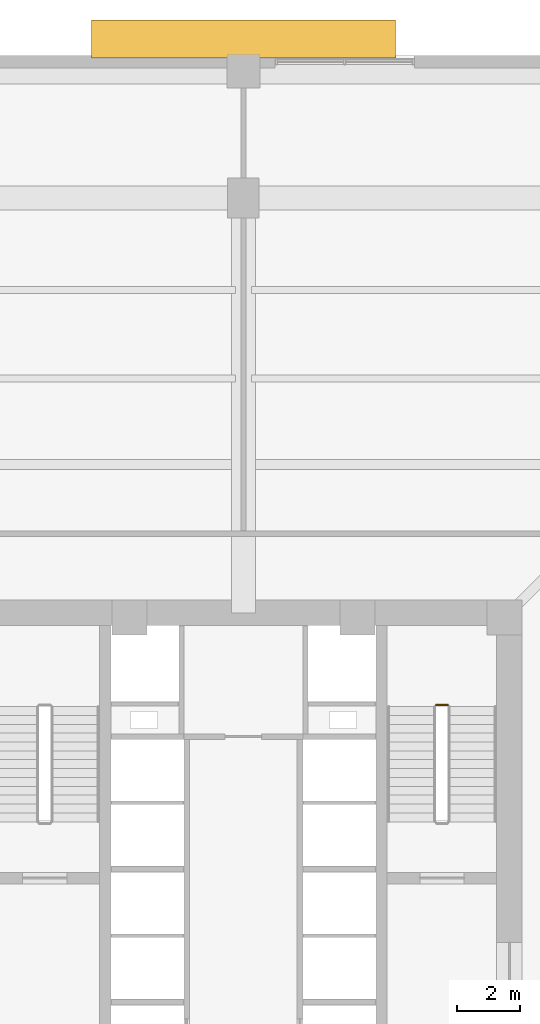
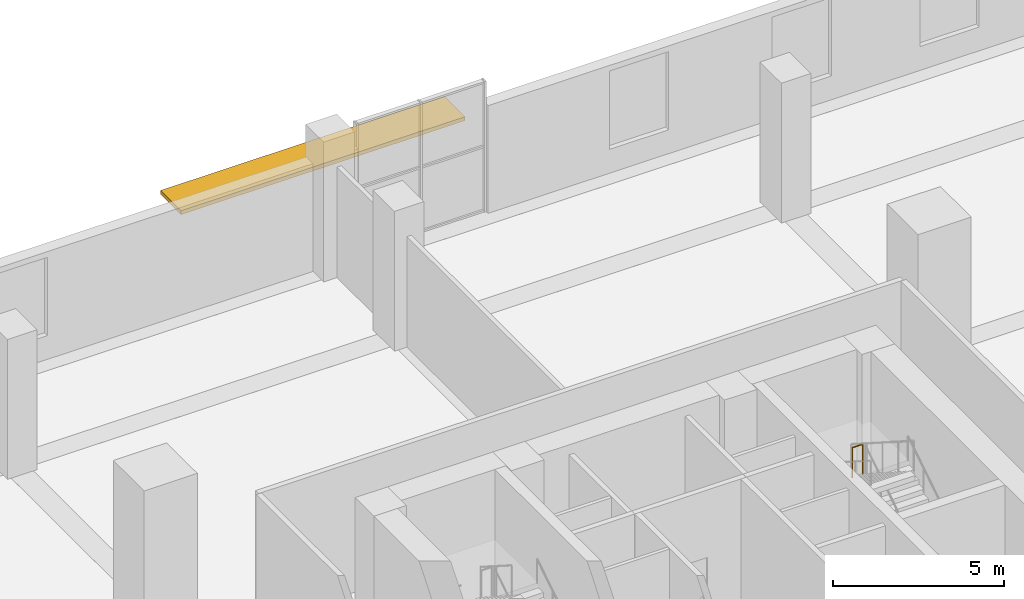
# One storey, part 16 of 17: 1 railing, 1 shading device.
"""IFC4 building model written with IfcOpenShell, lengths in metres."""

import ifcopenshell
import ifcopenshell.guid

model = None  # the IFC model being written
_history = None  # IfcOwnerHistory: only IFC2X3 demands one
_inside = {}  # id of a spatial element -> (the spatial element, [elements in it])
_under = {}  # id of a project, library or spatial element -> (it, [spatial elements below it])
_declared = {}  # id of a project -> (the project, [libraries it declares])
_typed = {}  # id of a type object -> (the type object, [elements of that type])
_made_of = {}  # id of a material, layer set ... -> (it, [elements and type objects made of it])


def new_model(schema):
    """Start an empty IFC model of exactly this schema.

    Asked for "IFC4X3", IfcOpenShell would pick the latest addendum, in which some entities
    have other attributes; the version numbers below select the first issue.
    IFC2X3 requires an IfcOwnerHistory on every rooted entity: one is made here for all.
    """
    global model, _history
    if schema == "IFC4X3":
        model = ifcopenshell.file(schema_version=(4, 3, 0, 0))
    else:
        model = ifcopenshell.file(schema=schema)
    _inside.clear()
    _under.clear()
    _declared.clear()
    _typed.clear()
    _made_of.clear()
    _history = None
    if model.schema == "IFC2X3":
        org = make("IfcOrganization", Name="unknown")
        user = make(
            "IfcPersonAndOrganization",
            ThePerson=make("IfcPerson", FamilyName="unknown"),
            TheOrganization=org,
        )
        app = make(
            "IfcApplication",
            ApplicationDeveloper=org,
            Version="unknown",
            ApplicationFullName="unknown",
            ApplicationIdentifier="unknown",
        )
        _history = make(
            "IfcOwnerHistory",
            OwningUser=user,
            OwningApplication=app,
            ChangeAction="ADDED",
            CreationDate=0,
        )
    return model


def make(cls, **values):
    """One entity of the class cls with the attributes given. An attribute that is None is left unset."""
    return model.create_entity(
        cls, **{name: value for name, value in values.items() if value is not None}
    )


def rooted(cls, **values):
    """An entity with a GlobalId (a new one), such as an element, a storey or a relation."""
    return make(cls, GlobalId=ifcopenshell.guid.new(), OwnerHistory=_history, **values)


def si_unit(unit_type, name, prefix=None):
    """IfcSIUnit, for example si_unit("LENGTHUNIT", "METRE", prefix="MILLI")."""
    return make("IfcSIUnit", UnitType=unit_type, Prefix=prefix, Name=name)


def assignment(units):
    """IfcUnitAssignment: the units of a project."""
    return None if units is None else make("IfcUnitAssignment", Units=units)


def point(xyz):
    """IfcCartesianPoint."""
    return None if xyz is None else make("IfcCartesianPoint", Coordinates=xyz)


def direction(xyz):
    """IfcDirection."""
    return None if xyz is None else make("IfcDirection", DirectionRatios=xyz)


def frame(location, z_axis=None, x_axis=None):
    """IfcAxis2Placement3D, a coordinate frame: its origin and axes. An axis left out is left unset."""
    return make(
        "IfcAxis2Placement3D",
        Location=point(location),
        Axis=direction(z_axis),
        RefDirection=direction(x_axis),
    )


def frame_2d(location, x_axis=None):
    """IfcAxis2Placement2D, a coordinate frame in the plane: its origin and x axis."""
    return make(
        "IfcAxis2Placement2D", Location=point(location), RefDirection=direction(x_axis)
    )


def origin():
    """The frame at (0, 0, 0) with its axes left unset."""
    return frame((0.0, 0.0, 0.0))


def origin_2d():
    """The frame at (0, 0) in the plane with its x axis left unset."""
    return frame_2d((0.0, 0.0))


def place(relative_to, where):
    """IfcLocalPlacement: puts the frame where relative to a parent placement (None: the world)."""
    return make(
        "IfcLocalPlacement", PlacementRelTo=relative_to, RelativePlacement=where
    )


def context(
    kind, dimensions, precision=None, world=None, true_north=None, identifier=None
):
    """IfcGeometricRepresentationContext, for example the 3D "Model" context."""
    return make(
        "IfcGeometricRepresentationContext",
        ContextIdentifier=identifier,
        ContextType=kind,
        CoordinateSpaceDimension=dimensions,
        Precision=precision,
        WorldCoordinateSystem=world,
        TrueNorth=true_north,
    )


def subcontext(parent, identifier, kind, view, scale=None):
    """IfcGeometricRepresentationSubContext, for example "Body" below "Model"."""
    return make(
        "IfcGeometricRepresentationSubContext",
        ContextIdentifier=identifier,
        ContextType=kind,
        ParentContext=parent,
        TargetScale=scale,
        TargetView=view,
    )


def project(units=None, contexts=None):
    """IfcProject with its units and contexts."""
    return rooted(
        "IfcProject",
        Name="project",
        RepresentationContexts=contexts,
        UnitsInContext=assignment(units),
    )


def spatial(cls, under=None, at=None, **own):
    """A site, building, storey or space (cls), placed at a placement, below another one or the project."""
    s = rooted(cls, ObjectPlacement=at, **own)
    if under is not None:
        _under.setdefault(under.id(), (under, []))[1].append(s)
    return s


def profile(cls, at=None, kind="AREA", **sizes):
    """A parametric profile (cls). Its sizes go by their IFC names, for example OverallWidth=200.0."""
    return make(cls, ProfileType=kind, Position=at, **sizes)


def rectangle(**sizes):
    """IfcRectangleProfileDef."""
    return profile("IfcRectangleProfileDef", **sizes)


def circle(**sizes):
    """IfcCircleProfileDef."""
    return profile("IfcCircleProfileDef", **sizes)


def extrude(swept, where, along, depth):
    """IfcExtrudedAreaSolid: the profile swept, set in the frame where, extruded along a direction by depth."""
    return make(
        "IfcExtrudedAreaSolid",
        SweptArea=swept,
        Position=where,
        ExtrudedDirection=direction(along),
        Depth=depth,
    )


def shape(context_of_items, identifier, shape_type, items):
    """IfcShapeRepresentation: the items that make up one representation, for example the "Body"."""
    return make(
        "IfcShapeRepresentation",
        ContextOfItems=context_of_items,
        RepresentationIdentifier=identifier,
        RepresentationType=shape_type,
        Items=items,
    )


def source(mapping_origin, context_of_items, identifier, shape_type, items):
    """IfcRepresentationMap: a shape defined once, which mapped items show again and again."""
    return make(
        "IfcRepresentationMap",
        MappingOrigin=mapping_origin,
        MappedRepresentation=shape(context_of_items, identifier, shape_type, items),
    )


def transform(
    local_origin,
    x_axis=None,
    y_axis=None,
    z_axis=None,
    scale=None,
    scale2=None,
    scale3=None,
    uniform=True,
):
    """IfcCartesianTransformationOperator3D, or its non-uniform kind. x_axis, y_axis, z_axis: its Axis1, 2, 3."""
    if uniform:
        return make(
            "IfcCartesianTransformationOperator3D",
            Axis1=direction(x_axis),
            Axis2=direction(y_axis),
            LocalOrigin=point(local_origin),
            Scale=scale,
            Axis3=direction(z_axis),
        )
    return make(
        "IfcCartesianTransformationOperator3DnonUniform",
        Axis1=direction(x_axis),
        Axis2=direction(y_axis),
        LocalOrigin=point(local_origin),
        Scale=scale,
        Axis3=direction(z_axis),
        Scale2=scale2,
        Scale3=scale3,
    )


def mapped(mapping_source, mapping_target):
    """IfcMappedItem: shows the shape of a source again, moved by a transform."""
    return make(
        "IfcMappedItem", MappingSource=mapping_source, MappingTarget=mapping_target
    )


def material(Name=None, Category=None):
    """IfcMaterial."""
    return make("IfcMaterial", Name=Name, Category=Category)


def layer(
    of_material, thickness, ventilated=None, Name=None, Category=None, Priority=None
):
    """IfcMaterialLayer: one layer of a wall or slab, of a material (None: an air gap)."""
    return make(
        "IfcMaterialLayer",
        Material=of_material,
        LayerThickness=thickness,
        IsVentilated=ventilated,
        Name=Name,
        Category=Category,
        Priority=Priority,
    )


def layer_set(layers, Name=None):
    """IfcMaterialLayerSet."""
    return make("IfcMaterialLayerSet", MaterialLayers=layers, LayerSetName=Name)


def made_of(thing, what):
    """Note that an element or type object is made of a material, layer set ...; save() writes the relation."""
    if what is not None:
        _made_of.setdefault(what.id(), (what, []))[1].append(thing)
    return thing


def type_object(cls, material=None, **own):
    """A type object (cls), such as IfcWallType, which elements share."""
    return made_of(rooted(cls, **own), material)


def element(
    cls,
    number,
    at=None,
    inside=None,
    cuts=None,
    type_object=None,
    material=None,
    context=None,
    identifier="Body",
    shape_type=None,
    held_by="IfcProductDefinitionShape",
    body=None,
    shapes=None,
    **own,
):
    """One element of the class cls, such as IfcWall. Its Tag is "e" and its number.

    at: its placement. inside: the storey or other place that contains it. cuts: it is an
    opening in that element (IfcRelVoidsElement). A single representation is given by context,
    identifier, shape_type and body (its items); several are given by shapes. held_by: the class
    of the entity that holds the representations. save() writes the other relations.
    """
    e = rooted(cls, Tag="e%d" % number, ObjectPlacement=at, **own)
    if body is not None:
        shapes = [shape(context, identifier, shape_type, body)]
    if shapes is not None:
        e.Representation = make(held_by, Representations=shapes)
    if inside is not None:
        _inside.setdefault(inside.id(), (inside, []))[1].append(e)
    if cuts is not None:
        rooted(
            "IfcRelVoidsElement", RelatingBuildingElement=cuts, RelatedOpeningElement=e
        )
    if type_object is not None:
        _typed.setdefault(type_object.id(), (type_object, []))[1].append(e)
    return made_of(e, material)


def aggregate(whole, parts):
    """IfcRelAggregates: a whole, such as a stair, and the parts it consists of."""
    return rooted("IfcRelAggregates", RelatingObject=whole, RelatedObjects=parts)


def save(model, path):
    """Write the relations noted so far, then the file.

    IfcRelAggregates (storeys below a building ...), IfcRelContainedInSpatialStructure (elements
    in a storey), IfcRelDefinesByType, IfcRelAssociatesMaterial and IfcRelDeclares: one each for
    every whole, place, type object, material and project.
    """
    for whole, parts in _under.values():
        aggregate(whole, parts)
    for where, things in _inside.values():
        rooted(
            "IfcRelContainedInSpatialStructure",
            RelatedElements=things,
            RelatingStructure=where,
        )
    for kind, things in _typed.values():
        rooted("IfcRelDefinesByType", RelatedObjects=things, RelatingType=kind)
    for what, things in _made_of.values():
        rooted("IfcRelAssociatesMaterial", RelatedObjects=things, RelatingMaterial=what)
    for by, libraries in _declared.values():
        rooted("IfcRelDeclares", RelatingContext=by, RelatedDefinitions=libraries)
    model.write(path)


model = new_model("IFC4")

# Units and contexts
model_context = context("Model", 3, precision=1e-05, world=origin(), true_north=direction((0.0, 1.0)))
body_context = subcontext(model_context, "Body", "Model", "MODEL_VIEW")
ifc_project = project(units=[si_unit("LENGTHUNIT", "METRE"), si_unit("AREAUNIT", "SQUARE_METRE"), si_unit("VOLUMEUNIT", "CUBIC_METRE"), si_unit("PLANEANGLEUNIT", "RADIAN"), si_unit("MASSUNIT", "GRAM", prefix="KILO"), si_unit("THERMODYNAMICTEMPERATUREUNIT", "KELVIN")], contexts=[model_context])

# Site, building, storey
site_placement = place(None, origin())
site = spatial("IfcSite", under=ifc_project, at=site_placement, CompositionType="ELEMENT")
building_placement = place(site_placement, origin())
building = spatial("IfcBuilding", under=site, at=building_placement, Name="Kosmvard Interchange Tower", CompositionType="ELEMENT")
storey_placement = place(building_placement, frame((0.0, 0.0, 6.0)))
storey = spatial("IfcBuildingStorey", under=building, at=storey_placement, Name="L01", CompositionType="ELEMENT", Elevation=6.0)

# Shading device
ifc_material_1 = material(Name="Solar bronze aluminium", Category="aluminium")
ifc_layer = layer(ifc_material_1, 0.139892578125, Name="Solar bronze aluminium")
ifc_layer_set = layer_set([ifc_layer], Name="Solar bronze aluminium")
shading_device_type = type_object("IfcShadingDeviceType", Name="Podium Entrance Horizontal Brise-Soleil Sunshade 1200", PredefinedType="USERDEFINED", material=ifc_layer_set)
shared_shape_1 = source(origin(), body_context, "Body", "SweptSolid", [
    extrude(rectangle(XDim=9.60009765625, YDim=1.199951171875, at=origin_2d()), origin(), (0.0, 0.0, 1.0), 0.139892578125),
])
shading_device_placement = place(storey_placement, frame((0.0, 26.52001953125, 3.330078125), z_axis=(0.0, 0.0, 1.0), x_axis=(1.0, 0.0, 0.0)))
element("IfcShadingDevice", 1, at=shading_device_placement, inside=storey, type_object=shading_device_type, Name="L01 Horizontal Brise-Soleil Sunshade N", ObjectType="SUNSHADE", PredefinedType="USERDEFINED", context=body_context, shape_type="MappedRepresentation", body=[
    mapped(shared_shape_1, transform((0.0, 0.0, 0.0), scale=1.0)),
])

# Railing
ifc_material_2 = material(Name="Steel S355", Category="steel")
railing_type = type_object("IfcRailingType", Name="Stair & Terrace Safety Guardrail 1100 Steel", PredefinedType="GUARDRAIL", material=ifc_material_2)
shared_shape_2 = source(origin(), body_context, "Body", "SweptSolid", [
    extrude(circle(Radius=0.02392578125, at=origin_2d()), frame((0.0, 0.0, 1.076171875), z_axis=(-1.0, 0.0, 0.0), x_axis=(0.0, -1.0, 0.0)), (0.0, 0.0, 1.0), 0.35986328125),
    extrude(circle(Radius=0.02099609375, at=origin_2d()), origin(), (0.0, 0.0, 1.0), 1.052001953125),
    extrude(circle(Radius=0.02099609375, at=origin_2d()), frame((-0.35986328125, 0.0, 0.0)), (0.0, 0.0, 1.0), 1.052001953125),
])
railing_placement = place(storey_placement, frame((6.449951171875, 5.489990234375, 2.5)))
element("IfcRailing", 2, at=railing_placement, inside=storey, type_object=railing_type, Name="L01 ST-2 stair guard 2", PredefinedType="GUARDRAIL", context=body_context, shape_type="MappedRepresentation", body=[
    mapped(shared_shape_2, transform((0.0, 0.0, 0.0), scale=1.0)),
])

save(model, "model.ifc")
